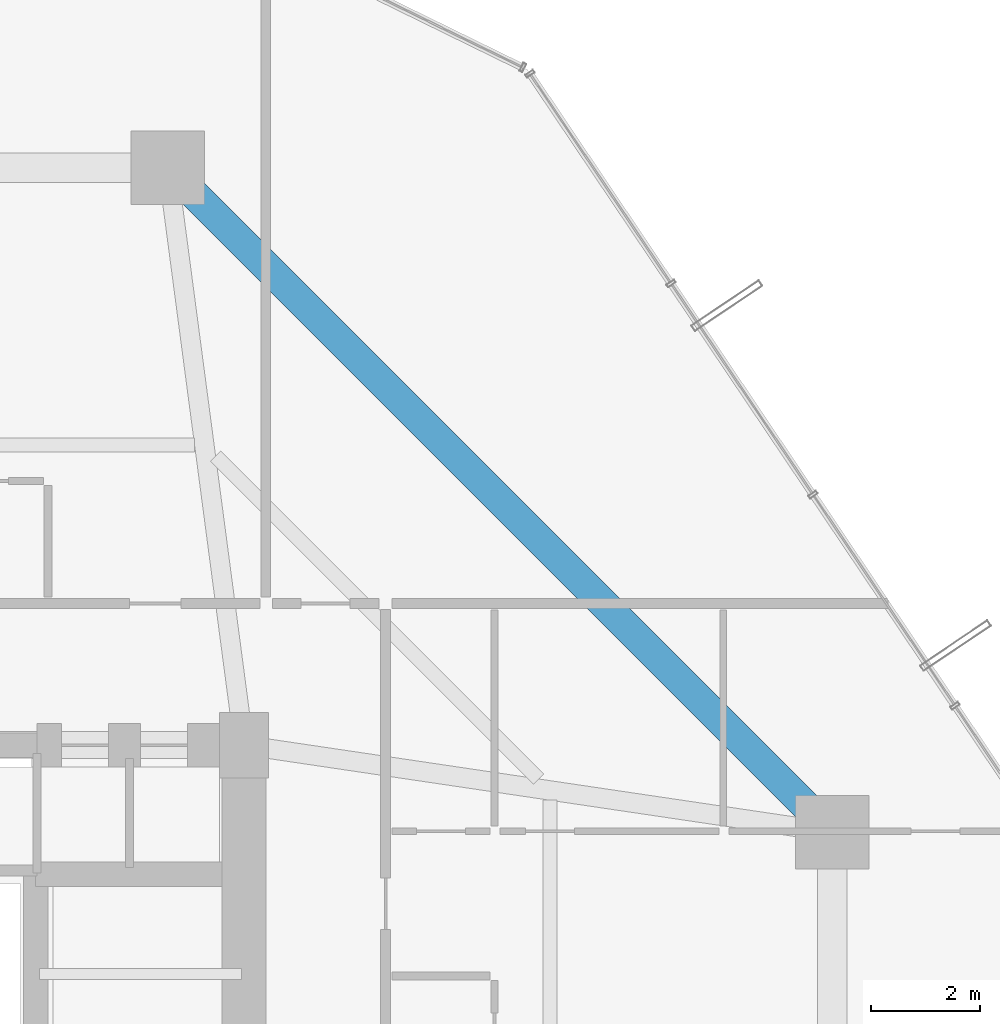
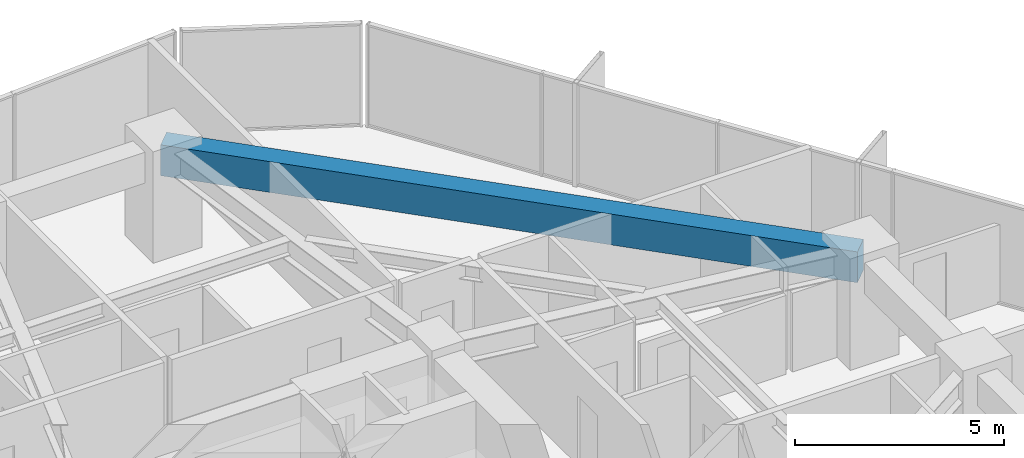
# One storey, part 28 of 37: 1 beam.
"""IFC4 building model written with IfcOpenShell, lengths in metres."""

from ifc_helpers import new_model, si_unit, direction, frame, origin, origin_2d, place, context, subcontext, project, spatial, rectangle, extrude, material, material_profile, profile_set, type_object, element, save


model = new_model("IFC4")

# Units and contexts
model_context = context("Model", 3, precision=1e-05, world=origin(), true_north=direction((0.0, 1.0)))
body_context = subcontext(model_context, "Body", "Model", "MODEL_VIEW")
ifc_project = project(units=[si_unit("LENGTHUNIT", "METRE"), si_unit("AREAUNIT", "SQUARE_METRE"), si_unit("VOLUMEUNIT", "CUBIC_METRE"), si_unit("PLANEANGLEUNIT", "RADIAN"), si_unit("MASSUNIT", "GRAM", prefix="KILO")], contexts=[model_context])

# Site, building, storey
site_placement = place(None, origin())
site = spatial("IfcSite", under=ifc_project, at=site_placement, CompositionType="ELEMENT")
building_placement = place(site_placement, origin())
building = spatial("IfcBuilding", under=site, at=building_placement, Name="Veraguas Prism Commons", CompositionType="ELEMENT")
storey_placement = place(building_placement, frame((0.0, 0.0, 37.050048828125)))
storey = spatial("IfcBuildingStorey", under=building, at=storey_placement, Name="L09", CompositionType="ELEMENT", Elevation=37.050048828125)

# Beam
ifc_material = material(Name="Concrete C50/60", Category="concrete")
ifc_material_profile = material_profile(ifc_material, rectangle(XDim=0.550048828125, YDim=0.89990234375, at=origin_2d()), Name="RC550X900")
ifc_profile_set = profile_set([ifc_material_profile], Name="Concrete C50/60")
beam_type = type_object("IfcBeamType", Name="Perimeter Spandrel Lower RC 550x900", PredefinedType="SPANDREL", material=ifc_profile_set)
beam_placement = place(storey_placement, frame((41.60009765625, 29.39990234375, 2.550048828125), z_axis=(-0.707106781187, 0.707106781187, 0.0), x_axis=(-0.707106781187, -0.707106781187, 0.0)))
element("IfcBeam", 1, at=beam_placement, inside=storey, type_object=beam_type, Name="Perimeter Spandrel Beam L09-SP03", PredefinedType="SPANDREL", context=body_context, shape_type="SweptSolid", body=[
    extrude(rectangle(XDim=0.550048828125, YDim=0.89990234375, at=origin_2d()), origin(), (0.0, 0.0, 1.0), 17.253662109375),
])

save(model, "model.ifc")
